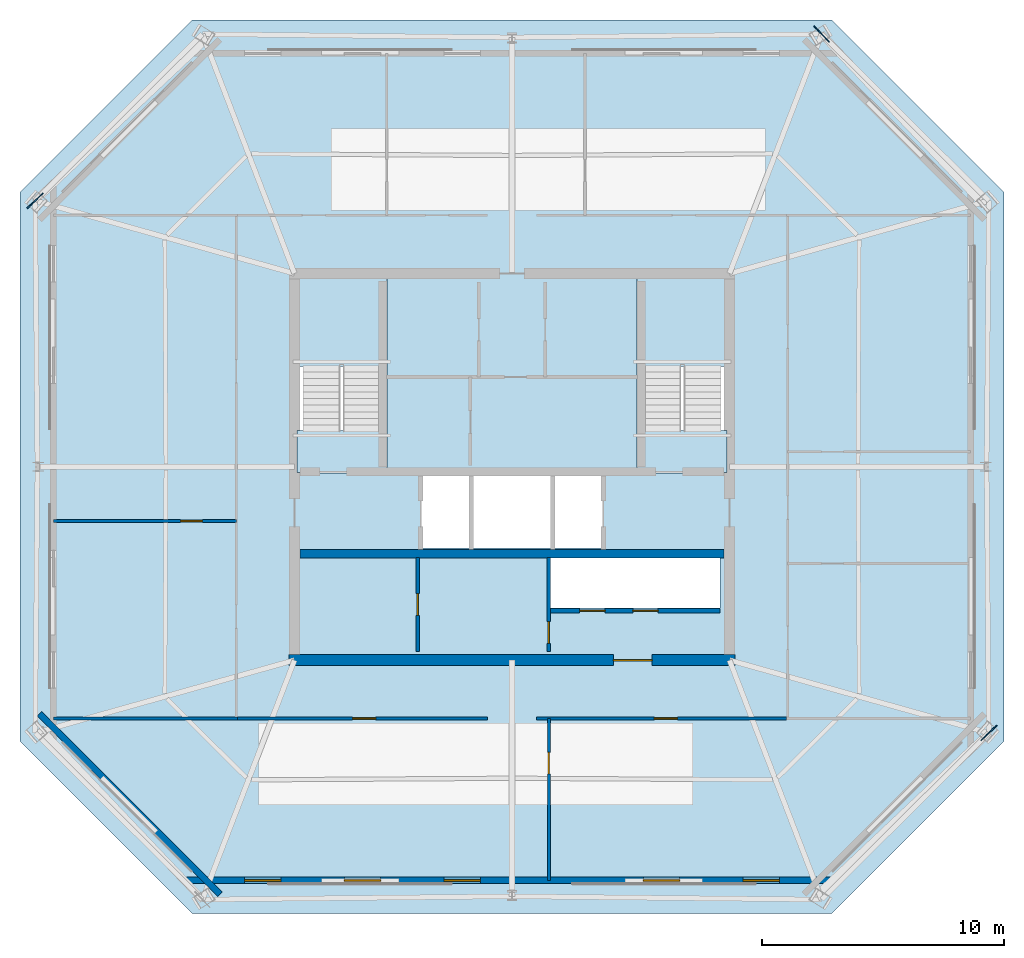
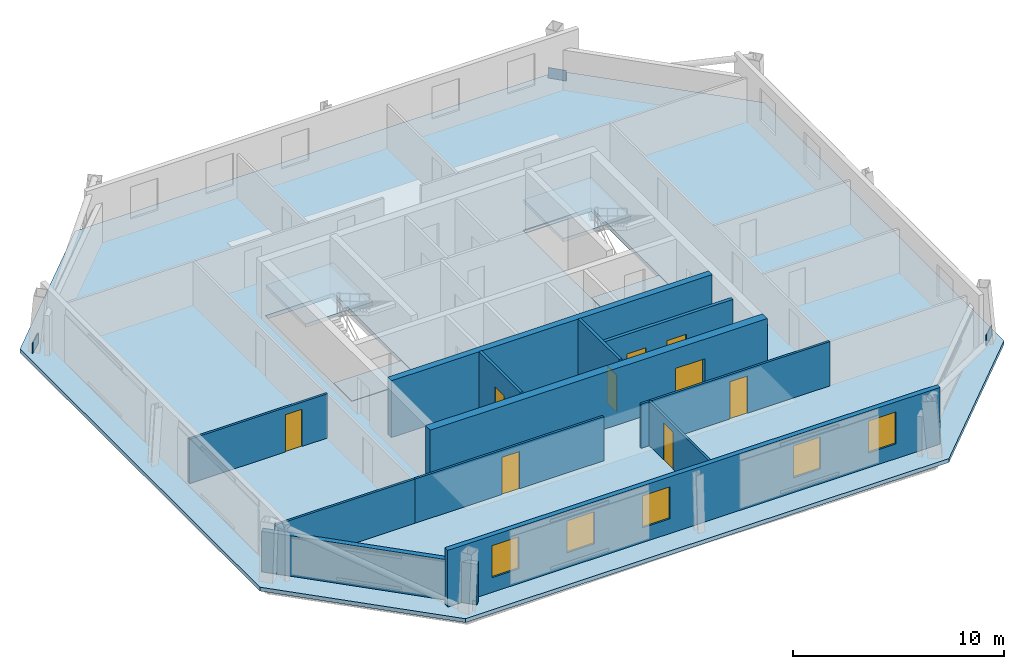
# One storey, part 2 of 7: 12 walls, 9 doors, 5 slabs, 5 windows, 3 plates, 14 openings, 2 elements without a shape of their own.
"""IFC4 building model written with IfcOpenShell, lengths in metres."""

from ifc_helpers import new_model, si_unit, direction, frame, frame_2d, origin, origin_2d, place, context, subcontext, project, spatial, polyline, rectangle, outline, extrude, material, layer, layer_set, type_object, element, fill, aggregate, save


model = new_model("IFC4")

# Units and contexts
model_context = context("Model", 3, precision=1e-05, world=origin(), true_north=direction((0.0, 1.0)))
body_context = subcontext(model_context, "Body", "Model", "MODEL_VIEW")
ifc_project = project(units=[si_unit("LENGTHUNIT", "METRE"), si_unit("AREAUNIT", "SQUARE_METRE"), si_unit("VOLUMEUNIT", "CUBIC_METRE"), si_unit("PLANEANGLEUNIT", "RADIAN"), si_unit("MASSUNIT", "GRAM", prefix="KILO")], contexts=[model_context])

# Site, building, storey
site_placement = place(None, origin())
site = spatial("IfcSite", under=ifc_project, at=site_placement, CompositionType="ELEMENT")
building_placement = place(site_placement, origin())
building = spatial("IfcBuilding", under=site, at=building_placement, Name="Caelvoria Tower", CompositionType="ELEMENT")
storey_placement = place(building_placement, frame((0.0, 0.0, 231.0)))
storey = spatial("IfcBuildingStorey", under=building, at=storey_placement, Name="L61", CompositionType="ELEMENT", Elevation=231.0)

# Plates
ifc_material_1 = material(Name="Structural Steel ASTM A572 Gr.50", Category="steel")
ifc_layer_1 = layer(ifc_material_1, 0.0400390625, Name="Structural Steel ASTM A572 Gr.50")
ifc_layer_set_1 = layer_set([ifc_layer_1], Name="Megaframe Node Gusset Plate 900x600x40 - Structural Steel ASTM A572 Gr.50")
plate_type = type_object("IfcPlateType", Name="Megaframe Node Gusset Plate 900x600x40", PredefinedType="USERDEFINED", material=ifc_layer_set_1)
for number, where, z_axis, x_axis, name in (
    (1, (65.73046875, 20.9873046875, 0.02001953125), (0.0, 0.0, 1.0), (-0.727666217761, -0.685931392727, 0.0), "Chamfer Mega Brace Gusset L61 SE"),
    (2, (58.812744140625, 49.905517578125, 0.02001953125), (0.0, 0.0, 1.0), (0.688368501755, -0.725361155419, 0.0), "Chamfer Mega Brace Gusset L61 NE"),
    (3, (26.26953125, 43.0126953125, 0.02001953125), (0.0, 0.0, 1.0), (0.727666217761, 0.685931392727, 0.0), "Chamfer Mega Brace Gusset L61 NW"),
):
    element("IfcPlate", number, at=place(storey_placement, frame(where, z_axis=z_axis, x_axis=x_axis)), inside=storey, type_object=plate_type, Name=name, ObjectType="GUSSET_PLATE", PredefinedType="USERDEFINED", context=body_context, shape_type="SweptSolid", body=[
        extrude(rectangle(XDim=0.89990234375, YDim=0.0400390625, at=origin_2d()), origin(), (0.0, 0.0, 1.0), 0.60009765625),
    ])

# Stair, slabs
ifc_material_2 = material(Name="Concrete C40/50", Category="concrete")
stair_type = type_object("IfcStairType", Name="Core Smokeproof Dogleg Stair Concrete C40/50", PredefinedType="HALF_TURN_STAIR", material=ifc_material_2)
stair_1_placement = place(storey_placement, origin())
stair_1 = element("IfcStair", 4, at=stair_1_placement, inside=storey, type_object=stair_type, Name="ST-01 Smokeproof Exit Stair L61", PredefinedType="HALF_TURN_STAIR")
ifc_layer_2 = layer(ifc_material_2, 0.199951171875, Name="Concrete C40/50")
ifc_layer_set_2 = layer_set([ifc_layer_2], Name="Stair Half and Floor Landing Slab 200 Concrete C40/50 - Concrete C40/50")
slab_type_1 = type_object("IfcSlabType", Name="Stair Half and Floor Landing Slab 200 Concrete C40/50", PredefinedType="LANDING", material=ifc_layer_set_2)
slab_1_placement = place(storey_placement, frame((0.0, 0.0, -0.199951171875)))
slab_1 = element("IfcSlab", 5, at=slab_1_placement, type_object=slab_type_1, Name="ST-01 landing 1", PredefinedType="LANDING", context=body_context, shape_type="SweptSolid", body=[
    extrude(outline(polyline([(37.10009765625, 31.77001953125), (40.800048828125, 31.77001953125), (40.800048828125, 33.5), (37.10009765625, 33.5), (37.10009765625, 31.77001953125)])), origin(), (0.0, 0.0, 1.0), 0.199951171875),
])
slab_2_placement = place(storey_placement, frame((0.0, 0.0, 1.60009765625)))
slab_2 = element("IfcSlab", 6, at=slab_2_placement, type_object=slab_type_1, Name="ST-01 landing 2", PredefinedType="LANDING", context=body_context, shape_type="SweptSolid", body=[
    extrude(outline(polyline([(37.10009765625, 36.14990234375), (40.800048828125, 36.14990234375), (40.800048828125, 39.89990234375), (37.10009765625, 39.89990234375), (37.10009765625, 36.14990234375)])), origin(), (0.0, 0.0, 1.0), 0.199951171875),
])
aggregate(stair_1, [slab_1, slab_2])

stair_2_placement = place(storey_placement, origin())
stair_2 = element("IfcStair", 7, at=stair_2_placement, inside=storey, type_object=stair_type, Name="ST-02 Smokeproof Exit Stair L61", PredefinedType="HALF_TURN_STAIR")
slab_3_placement = place(storey_placement, frame((0.0, 0.0, -0.199951171875)))
slab_3 = element("IfcSlab", 8, at=slab_3_placement, type_object=slab_type_1, Name="ST-02 landing 1", PredefinedType="LANDING", context=body_context, shape_type="SweptSolid", body=[
    extrude(outline(polyline([(51.199951171875, 31.77001953125), (54.89990234375, 31.77001953125), (54.89990234375, 33.5), (51.199951171875, 33.5), (51.199951171875, 31.77001953125)])), origin(), (0.0, 0.0, 1.0), 0.199951171875),
])
slab_4_placement = place(storey_placement, frame((0.0, 0.0, 1.60009765625)))
slab_4 = element("IfcSlab", 9, at=slab_4_placement, type_object=slab_type_1, Name="ST-02 landing 2", PredefinedType="LANDING", context=body_context, shape_type="SweptSolid", body=[
    extrude(outline(polyline([(51.199951171875, 36.14990234375), (54.89990234375, 36.14990234375), (54.89990234375, 39.89990234375), (51.199951171875, 39.89990234375), (51.199951171875, 36.14990234375)])), origin(), (0.0, 0.0, 1.0), 0.199951171875),
])
aggregate(stair_2, [slab_3, slab_4])

# Slab
ifc_layer_3 = layer(ifc_material_2, 0.22509765625, Name="Concrete C40/50")
ifc_layer_set_3 = layer_set([ifc_layer_3], Name="Upper Tower Composite Office Slab 225 - Concrete C40/50")
slab_type_2 = type_object("IfcSlabType", Name="Upper Tower Composite Office Slab 225", PredefinedType="FLOOR", material=ifc_layer_set_3)
slab_5_placement = place(storey_placement, frame((0.0, 0.0, -0.22509765625)))
element("IfcSlab", 10, at=slab_5_placement, inside=storey, type_object=slab_type_2, Name="Level L61 Structural Floor Slab", PredefinedType="FLOOR", context=body_context, shape_type="SweptSolid", body=[
    extrude(outline(polyline([(32.768310546875, 13.509033203125), (59.231689453125, 13.509033203125), (66.359130859375, 20.636474609375), (66.359130859375, 43.363525390625), (59.231689453125, 50.490966796875), (32.768310546875, 50.490966796875), (25.640869140625, 43.363525390625), (25.640869140625, 20.636474609375), (32.768310546875, 13.509033203125)]), holes=[polyline([(37.080078125, 31.75), (40.820068359375, 31.75), (40.820068359375, 39.919921875), (37.080078125, 39.919921875), (37.080078125, 31.75)]), polyline([(51.179931640625, 31.75), (54.919921875, 31.75), (54.919921875, 39.919921875), (51.179931640625, 39.919921875), (51.179931640625, 31.75)]), polyline([(42.25, 28.64990234375), (49.75, 28.64990234375), (49.75, 31.800048828125), (42.25, 31.800048828125), (42.25, 28.64990234375)]), polyline([(47.60009765625, 26.14990234375), (54.60009765625, 26.14990234375), (54.60009765625, 28.25), (47.60009765625, 28.25), (47.60009765625, 26.14990234375)])]), origin(), (0.0, 0.0, 1.0), 0.22509765625),
])

# Wall
ifc_material_3 = material(Name="Concrete C50/60", Category="concrete")
ifc_layer_4 = layer(ifc_material_3, 0.35009765625, Name="Concrete C50/60")
ifc_layer_set_4 = layer_set([ifc_layer_4], Name="Core Internal Shear Wall 350 - Concrete C50/60")
wall_type_1 = type_object("IfcWallType", Name="Core Internal Shear Wall 350", PredefinedType="SHEAR", material=ifc_layer_set_4)
wall_1_placement = place(storey_placement, frame((37.22509765625, 28.39990234375, 0.0), z_axis=(0.0, 0.0, 1.0), x_axis=(1.0, 0.0, 0.0)))
element("IfcWall", 11, at=wall_1_placement, inside=storey, type_object=wall_type_1, Name="Core Shear Wall L61 M2", PredefinedType="SHEAR", context=body_context, shape_type="SweptSolid", body=[
    extrude(rectangle(XDim=17.5498046875, YDim=0.35009765625, at=frame_2d((8.77490234375, 0.0))), origin(), (0.0, 0.0, 1.0), 3.280029296875),
])

# Wall, opening, door
ifc_material_4 = material(Name="Double Gypsum Board on Steel Stud", Category="steel")
ifc_layer_5 = layer(ifc_material_4, 0.14990234375, Name="Double Gypsum Board on Steel Stud")
ifc_layer_set_5 = layer_set([ifc_layer_5], Name="Core Service Acoustic Partition Wall 150 - Double Gypsum Board on Steel Stud")
wall_type_2 = type_object("IfcWallType", Name="Core Service Acoustic Partition Wall 150", PredefinedType="PARTITIONING", material=ifc_layer_set_5)
wall_2_placement = place(storey_placement, frame((42.10009765625, 24.35009765625, 0.0), z_axis=(0.0, 0.0, 1.0), x_axis=(0.0, 1.0, 0.0)))
wall_2 = element("IfcWall", 12, at=wall_2_placement, inside=storey, type_object=wall_type_2, Name="Interior Partition IW-L61-RECL-MID", PredefinedType="PARTITIONING", context=body_context, shape_type="SweptSolid", body=[
    extrude(rectangle(XDim=3.89990234375, YDim=0.14990234375, at=frame_2d((1.949951171875, 0.0))), origin(), (0.0, 0.0, 1.0), 3.280029296875),
])
opening_1_placement = place(wall_2_placement, frame((1.5, 0.0, 0.0)))
opening_1 = element("IfcOpeningElement", 13, at=opening_1_placement, cuts=wall_2, Name="Opening ID-06", PredefinedType="OPENING", context=body_context, shape_type="SweptSolid", body=[
    extrude(rectangle(XDim=0.89990234375, YDim=2.14990234375, at=frame_2d((0.449951171875, 1.074951171875))), frame((0.0, 0.0849609375, 0.0), z_axis=(0.0, -1.0, 0.0), x_axis=(1.0, 0.0, 0.0)), (0.0, 0.0, 1.0), 0.169921875),
])
ifc_material_5 = material(Name="Engineered Andean Oak Veneer Door", Category="wood")
door_type_1 = type_object("IfcDoorType", Name="Interior Timber Door 900x2150", OperationType="NOTDEFINED", PredefinedType="DOOR", material=ifc_material_5)
door_1_placement = place(opening_1_placement, origin())
door_1 = element("IfcDoor", 14, at=door_1_placement, inside=storey, type_object=door_type_1, Name="Interior Door DR-L61-RECL12", OperationType="SINGLE_SWING_LEFT", OverallHeight=2.14990234375, OverallWidth=0.89990234375, PredefinedType="DOOR", context=body_context, shape_type="SweptSolid", body=[
    extrude(rectangle(XDim=0.89990234375, YDim=2.14990234375, at=frame_2d((0.449951171875, 1.074951171875))), frame((0.0, 0.02490234375, 0.0), z_axis=(0.0, -1.0, 0.0), x_axis=(1.0, 0.0, 0.0)), (0.0, 0.0, 1.0), 0.050048828125),
])
fill(opening_1, door_1)

wall_3_placement = place(storey_placement, frame((47.52001953125, 24.35009765625, 0.0), z_axis=(0.0, 0.0, 1.0), x_axis=(0.0, 1.0, 0.0)))
wall_3 = element("IfcWall", 15, at=wall_3_placement, inside=storey, type_object=wall_type_2, Name="Interior Partition IW-L61-RECL2E", PredefinedType="PARTITIONING", context=body_context, shape_type="SweptSolid", body=[
    extrude(rectangle(XDim=3.89990234375, YDim=0.14990234375, at=frame_2d((1.949951171875, 0.0))), origin(), (0.0, 0.0, 1.0), 3.280029296875),
])
opening_2_placement = place(wall_3_placement, frame((0.35009765625, 0.0, 0.0)))
opening_2 = element("IfcOpeningElement", 16, at=opening_2_placement, cuts=wall_3, Name="Opening ID-04", PredefinedType="OPENING", context=body_context, shape_type="SweptSolid", body=[
    extrude(rectangle(XDim=0.89990234375, YDim=2.14990234375, at=frame_2d((0.449951171875, 1.074951171875))), frame((0.0, 0.0849609375, 0.0), z_axis=(0.0, -1.0, 0.0), x_axis=(1.0, 0.0, 0.0)), (0.0, 0.0, 1.0), 0.169921875),
])
ifc_material_6 = material(Name="Acoustic Timber Fire Door", Category="wood")
door_type_2 = type_object("IfcDoorType", Name="Fire Door FD30S 900x2150", OperationType="NOTDEFINED", PredefinedType="DOOR", material=ifc_material_6)
door_2_placement = place(opening_2_placement, origin())
door_2 = element("IfcDoor", 17, at=door_2_placement, inside=storey, type_object=door_type_2, Name="Interior Door DR-L61-RECL2", OperationType="SINGLE_SWING_RIGHT", OverallHeight=2.14990234375, OverallWidth=0.89990234375, PredefinedType="DOOR", context=body_context, shape_type="SweptSolid", body=[
    extrude(rectangle(XDim=0.89990234375, YDim=2.14990234375, at=frame_2d((0.449951171875, 1.074951171875))), frame((0.0, 0.02490234375, 0.0), z_axis=(0.0, -1.0, 0.0), x_axis=(1.0, 0.0, 0.0)), (0.0, 0.0, 1.0), 0.050048828125),
])
fill(opening_2, door_2)

# Wall, openings, doors
ifc_material_7 = material(Name="Concrete Block and Fireboard Assembly", Category="concrete")
ifc_layer_6 = layer(ifc_material_7, 0.179931640625, Name="Concrete Block and Fireboard Assembly")
ifc_layer_set_6 = layer_set([ifc_layer_6], Name="Fire-Rated Hoistway Partition Wall 180 - Concrete Block and Fireboard Assembly")
wall_type_3 = type_object("IfcWallType", Name="Fire-Rated Hoistway Partition Wall 180", PredefinedType="PARTITIONING", material=ifc_layer_set_6)
wall_4_placement = place(storey_placement, frame((47.60009765625, 26.050048828125, 0.0), z_axis=(0.0, 0.0, 1.0), x_axis=(1.0, 0.0, 0.0)))
wall_4 = element("IfcWall", 18, at=wall_4_placement, inside=storey, type_object=wall_type_3, Name="Interior Partition IW-L61-LFRONT", PredefinedType="PARTITIONING", context=body_context, shape_type="SweptSolid", body=[
    extrude(rectangle(XDim=7.0, YDim=0.179931640625, at=frame_2d((3.5, 0.0))), origin(), (0.0, 0.0, 1.0), 3.280029296875),
])
opening_3_placement = place(wall_4_placement, frame((1.199951171875, 0.0, 0.0)))
opening_3 = element("IfcOpeningElement", 19, at=opening_3_placement, cuts=wall_4, Name="Opening LD-01", PredefinedType="OPENING", context=body_context, shape_type="SweptSolid", body=[
    extrude(rectangle(XDim=1.050048828125, YDim=2.14990234375, at=frame_2d((0.52490234375, 1.074951171875))), frame((0.0, 0.099853515625, 0.0), z_axis=(0.0, -1.0, 0.0), x_axis=(1.0, 0.0, 0.0)), (0.0, 0.0, 1.0), 0.199951171875),
])
opening_4_placement = place(wall_4_placement, frame((3.39990234375, 0.0, 0.0)))
opening_4 = element("IfcOpeningElement", 20, at=opening_4_placement, cuts=wall_4, Name="Opening LD-01", PredefinedType="OPENING", context=body_context, shape_type="SweptSolid", body=[
    extrude(rectangle(XDim=1.050048828125, YDim=2.14990234375, at=frame_2d((0.52490234375, 1.074951171875))), frame((0.0, 0.099853515625, 0.0), z_axis=(0.0, -1.0, 0.0), x_axis=(1.0, 0.0, 0.0)), (0.0, 0.0, 1.0), 0.199951171875),
])
ifc_material_8 = material(Name="Brushed Bronze Stainless Sliding Landing Door", Category="aluminium")
door_type_3 = type_object("IfcDoorType", Name="Lift Landing Sliding Door 1100x2150", OperationType="NOTDEFINED", PredefinedType="DOOR", material=ifc_material_8)
door_3_placement = place(opening_3_placement, origin())
door_3 = element("IfcDoor", 21, at=door_3_placement, inside=storey, type_object=door_type_3, Name="Interior Door LD-L61-PH1", OperationType="SLIDING_TO_LEFT", OverallHeight=2.14990234375, OverallWidth=1.050048828125, PredefinedType="DOOR", context=body_context, shape_type="SweptSolid", body=[
    extrude(rectangle(XDim=1.050048828125, YDim=2.14990234375, at=frame_2d((0.52490234375, 1.074951171875))), frame((0.0, 0.02490234375, 0.0), z_axis=(0.0, -1.0, 0.0), x_axis=(1.0, 0.0, 0.0)), (0.0, 0.0, 1.0), 0.050048828125),
])
fill(opening_3, door_3)
door_4_placement = place(opening_4_placement, origin())
door_4 = element("IfcDoor", 22, at=door_4_placement, inside=storey, type_object=door_type_3, Name="Interior Door LD-L61-PH2", OperationType="SLIDING_TO_RIGHT", OverallHeight=2.14990234375, OverallWidth=1.050048828125, PredefinedType="DOOR", context=body_context, shape_type="SweptSolid", body=[
    extrude(rectangle(XDim=1.050048828125, YDim=2.14990234375, at=frame_2d((0.52490234375, 1.074951171875))), frame((0.0, 0.02490234375, 0.0), z_axis=(0.0, -1.0, 0.0), x_axis=(1.0, 0.0, 0.0)), (0.0, 0.0, 1.0), 0.050048828125),
])
fill(opening_4, door_4)

# Wall, opening, door
ifc_material_9 = material(Name="Acoustic Gypsum Board on Light-Gauge Stud", Category="gypsum")
ifc_layer_7 = layer(ifc_material_9, 0.1201171875, Name="Acoustic Gypsum Board on Light-Gauge Stud")
ifc_layer_set_7 = layer_set([ifc_layer_7], Name="Tenant Suite Acoustic Partition Wall 120 - Acoustic Gypsum Board on Light-Gauge Stud")
wall_type_4 = type_object("IfcWallType", Name="Tenant Suite Acoustic Partition Wall 120", PredefinedType="PARTITIONING", material=ifc_layer_set_7)
wall_5_placement = place(storey_placement, frame((47.52294921875, 21.590087890625, 0.0), z_axis=(0.0, 0.0, 1.0), x_axis=(0.0, -1.0, 0.0)))
wall_5 = element("IfcWall", 23, at=wall_5_placement, inside=storey, type_object=wall_type_4, Name="Interior Partition IW-L61-SD-00-0", PredefinedType="PARTITIONING", context=body_context, shape_type="SweptSolid", body=[
    extrude(rectangle(XDim=6.700927734375, YDim=0.1201171875, at=frame_2d((3.3505859375, 0.0))), origin(), (0.0, 0.0, 1.0), 2.56005859375),
])
opening_5_placement = place(wall_5_placement, frame((1.39990234375, 0.0, 0.0)))
opening_5 = element("IfcOpeningElement", 24, at=opening_5_placement, cuts=wall_5, Name="Opening ID-06", PredefinedType="OPENING", context=body_context, shape_type="SweptSolid", body=[
    extrude(rectangle(XDim=0.89990234375, YDim=2.14990234375, at=frame_2d((0.449951171875, 1.074951171875))), frame((0.0, 0.070068359375, 0.0), z_axis=(0.0, -1.0, 0.0), x_axis=(1.0, 0.0, 0.0)), (0.0, 0.0, 1.0), 0.14013671875),
])
door_5_placement = place(opening_5_placement, origin())
door_5 = element("IfcDoor", 25, at=door_5_placement, inside=storey, type_object=door_type_1, Name="Interior Door DR-L61-SM-00-0", OperationType="SINGLE_SWING_RIGHT", OverallHeight=2.14990234375, OverallWidth=0.89990234375, PredefinedType="DOOR", context=body_context, shape_type="SweptSolid", body=[
    extrude(rectangle(XDim=0.89990234375, YDim=2.14990234375, at=frame_2d((0.449951171875, 1.074951171875))), frame((0.0, 0.02490234375, 0.0), z_axis=(0.0, -1.0, 0.0), x_axis=(1.0, 0.0, 0.0)), (0.0, 0.0, 1.0), 0.050048828125),
])
fill(opening_5, door_5)

wall_6_placement = place(storey_placement, frame((34.64990234375, 21.590087890625, 0.0), z_axis=(0.0, 0.0, 1.0), x_axis=(1.0, 0.0, 0.0)))
wall_6 = element("IfcWall", 26, at=wall_6_placement, inside=storey, type_object=wall_type_4, Name="Interior Partition IW-L61-SCW-0", PredefinedType="PARTITIONING", context=body_context, shape_type="SweptSolid", body=[
    extrude(rectangle(XDim=10.330078125, YDim=0.1201171875, at=frame_2d((5.1650390625, 0.0))), origin(), (0.0, 0.0, 1.0), 2.56005859375),
])
opening_6_placement = place(wall_6_placement, frame((4.760009765625, 0.0, 0.0)))
opening_6 = element("IfcOpeningElement", 27, at=opening_6_placement, cuts=wall_6, Name="Opening ID-05", PredefinedType="OPENING", context=body_context, shape_type="SweptSolid", body=[
    extrude(rectangle(XDim=0.949951171875, YDim=2.14990234375, at=frame_2d((0.47509765625, 1.074951171875))), frame((0.0, 0.070068359375, 0.0), z_axis=(0.0, -1.0, 0.0), x_axis=(1.0, 0.0, 0.0)), (0.0, 0.0, 1.0), 0.14013671875),
])
door_type_4 = type_object("IfcDoorType", Name="Interior Timber Door 950x2150", OperationType="NOTDEFINED", PredefinedType="DOOR", material=ifc_material_5)
door_6_placement = place(opening_6_placement, origin())
door_6 = element("IfcDoor", 28, at=door_6_placement, inside=storey, type_object=door_type_4, Name="Interior Door DR-L61-SC-00-0", OperationType="SINGLE_SWING_RIGHT", OverallHeight=2.14990234375, OverallWidth=0.949951171875, PredefinedType="DOOR", context=body_context, shape_type="SweptSolid", body=[
    extrude(rectangle(XDim=0.949951171875, YDim=2.14990234375, at=frame_2d((0.47509765625, 1.074951171875))), frame((0.0, 0.02490234375, 0.0), z_axis=(0.0, -1.0, 0.0), x_axis=(1.0, 0.0, 0.0)), (0.0, 0.0, 1.0), 0.050048828125),
])
fill(opening_6, door_6)

wall_7_placement = place(storey_placement, frame((47.02001953125, 21.590087890625, 0.0), z_axis=(0.0, 0.0, 1.0), x_axis=(1.0, 0.0, 0.0)))
wall_7 = element("IfcWall", 29, at=wall_7_placement, inside=storey, type_object=wall_type_4, Name="Interior Partition IW-L61-SCW-1", PredefinedType="PARTITIONING", context=body_context, shape_type="SweptSolid", body=[
    extrude(rectangle(XDim=10.330078125, YDim=0.1201171875, at=frame_2d((5.1650390625, 0.0))), origin(), (0.0, 0.0, 1.0), 2.56005859375),
])
opening_7_placement = place(wall_7_placement, frame((4.87158203125, 0.0, 0.0)))
opening_7 = element("IfcOpeningElement", 30, at=opening_7_placement, cuts=wall_7, Name="Opening ID-05", PredefinedType="OPENING", context=body_context, shape_type="SweptSolid", body=[
    extrude(rectangle(XDim=0.949951171875, YDim=2.14990234375, at=frame_2d((0.47509765625, 1.074951171875))), frame((0.0, 0.070068359375, 0.0), z_axis=(0.0, -1.0, 0.0), x_axis=(1.0, 0.0, 0.0)), (0.0, 0.0, 1.0), 0.14013671875),
])
door_7_placement = place(opening_7_placement, origin())
door_7 = element("IfcDoor", 31, at=door_7_placement, inside=storey, type_object=door_type_4, Name="Interior Door DR-L61-SC-01-0", OperationType="SINGLE_SWING_LEFT", OverallHeight=2.14990234375, OverallWidth=0.949951171875, PredefinedType="DOOR", context=body_context, shape_type="SweptSolid", body=[
    extrude(rectangle(XDim=0.949951171875, YDim=2.14990234375, at=frame_2d((0.47509765625, 1.074951171875))), frame((0.0, 0.02490234375, 0.0), z_axis=(0.0, -1.0, 0.0), x_axis=(1.0, 0.0, 0.0)), (0.0, 0.0, 1.0), 0.050048828125),
])
fill(opening_7, door_7)

wall_8_placement = place(storey_placement, frame((34.590087890625, 29.763427734375, 0.0), z_axis=(0.0, 0.0, 1.0), x_axis=(-1.0, 0.0, 0.0)))
wall_8 = element("IfcWall", 32, at=wall_8_placement, inside=storey, type_object=wall_type_4, Name="Interior Partition IW-L61-WD-00-0", PredefinedType="PARTITIONING", context=body_context, shape_type="SweptSolid", body=[
    extrude(rectangle(XDim=7.569091796875, YDim=0.1201171875, at=frame_2d((3.78466796875, 0.0))), origin(), (0.0, 0.0, 1.0), 2.56005859375),
])
opening_8_placement = place(wall_8_placement, frame((1.39990234375, 0.0, 0.0)))
opening_8 = element("IfcOpeningElement", 33, at=opening_8_placement, cuts=wall_8, Name="Opening ID-06", PredefinedType="OPENING", context=body_context, shape_type="SweptSolid", body=[
    extrude(rectangle(XDim=0.89990234375, YDim=2.14990234375, at=frame_2d((0.449951171875, 1.074951171875))), frame((0.0, 0.070068359375, 0.0), z_axis=(0.0, -1.0, 0.0), x_axis=(1.0, 0.0, 0.0)), (0.0, 0.0, 1.0), 0.14013671875),
])
door_8_placement = place(opening_8_placement, origin())
door_8 = element("IfcDoor", 34, at=door_8_placement, inside=storey, type_object=door_type_1, Name="Interior Door DR-L61-WM-00-0", OperationType="SINGLE_SWING_RIGHT", OverallHeight=2.14990234375, OverallWidth=0.89990234375, PredefinedType="DOOR", context=body_context, shape_type="SweptSolid", body=[
    extrude(rectangle(XDim=0.89990234375, YDim=2.14990234375, at=frame_2d((0.449951171875, 1.074951171875))), frame((0.0, 0.02490234375, 0.0), z_axis=(0.0, -1.0, 0.0), x_axis=(1.0, 0.0, 0.0)), (0.0, 0.0, 1.0), 0.050048828125),
])
fill(opening_8, door_8)

# Wall
wall_9_placement = place(storey_placement, frame((34.64990234375, 21.590087890625, 0.0), z_axis=(0.0, 0.0, 1.0), x_axis=(-1.0, 0.0, 0.0)))
element("IfcWall", 35, at=wall_9_placement, inside=storey, type_object=wall_type_4, Name="Interior Partition IW-L61-BSW-0", PredefinedType="PARTITIONING", context=body_context, shape_type="SweptSolid", body=[
    extrude(rectangle(XDim=7.62890625, YDim=0.1201171875, at=frame_2d((3.814453125, 0.0))), origin(), (0.0, 0.0, 1.0), 2.56005859375),
])

# Wall, opening, door
ifc_layer_8 = layer(ifc_material_3, 0.449951171875, Name="Concrete C50/60")
ifc_layer_set_8 = layer_set([ifc_layer_8], Name="Upper Core Shear Wall 450 - Concrete C50/60")
wall_type_5 = type_object("IfcWallType", Name="Upper Core Shear Wall 450", PredefinedType="SHEAR", material=ifc_layer_set_8)
wall_10_placement = place(storey_placement, frame((36.77490234375, 24.0, 0.0), z_axis=(0.0, 0.0, 1.0), x_axis=(1.0, 0.0, 0.0)))
wall_10 = element("IfcWall", 36, at=wall_10_placement, inside=storey, type_object=wall_type_5, Name="Core Shear Wall L61 S", PredefinedType="SHEAR", context=body_context, shape_type="SweptSolid", body=[
    extrude(rectangle(XDim=18.4501953125, YDim=0.449951171875, at=frame_2d((9.22509765625, 0.0))), origin(), (0.0, 0.0, 1.0), 3.280029296875),
])
opening_9_placement = place(wall_10_placement, frame((13.425048828125, 0.0, 0.0)))
opening_9 = element("IfcOpeningElement", 37, at=opening_9_placement, cuts=wall_10, Name="Opening ID-08", PredefinedType="OPENING", context=body_context, shape_type="SweptSolid", body=[
    extrude(rectangle(XDim=1.60009765625, YDim=2.14990234375, at=frame_2d((0.800048828125, 1.074951171875))), frame((0.0, 0.23486328125, 0.0), z_axis=(0.0, -1.0, 0.0), x_axis=(1.0, 0.0, 0.0)), (0.0, 0.0, 1.0), 0.469970703125),
])
ifc_material_10 = material(Name="Bronze-Framed Fire-Rated Glazed Double Door", Category="aluminium")
door_type_5 = type_object("IfcDoorType", Name="Double Lobby Glazed Door 1600x2200", OperationType="NOTDEFINED", PredefinedType="DOOR", material=ifc_material_10)
door_9_placement = place(opening_9_placement, origin())
door_9 = element("IfcDoor", 38, at=door_9_placement, inside=storey, type_object=door_type_5, Name="Core Door DR-L61-LLOB-S2", OperationType="DOUBLE_DOOR_SINGLE_SWING", OverallHeight=2.14990234375, OverallWidth=1.60009765625, PredefinedType="DOOR", context=body_context, shape_type="SweptSolid", body=[
    extrude(rectangle(XDim=1.60009765625, YDim=2.14990234375, at=frame_2d((0.800048828125, 1.074951171875))), frame((0.0, 0.02490234375, 0.0), z_axis=(0.0, -1.0, 0.0), x_axis=(1.0, 0.0, 0.0)), (0.0, 0.0, 1.0), 0.050048828125),
])
fill(opening_9, door_9)

# Wall, openings, windows
ifc_material_11 = material(Name="Precast Concrete C40/50 with Bronze Cladding", Category="concrete")
ifc_layer_9 = layer(ifc_material_11, 0.264892578125, Name="Precast Concrete C40/50 with Bronze Cladding")
ifc_layer_set_9 = layer_set([ifc_layer_9], Name="Upper Taper Precast Concrete C40/50 Bronze Facade Wall 265 - Precast Concrete C40/50 with Bronze Cladding")
wall_type_6 = type_object("IfcWallType", Name="Upper Taper Precast Concrete C40/50 Bronze Facade Wall 265", PredefinedType="STANDARD", material=ifc_layer_set_9)
wall_11_placement = place(storey_placement, frame((32.5283203125, 14.88916015625, 0.0), z_axis=(0.0, 0.0, 1.0), x_axis=(1.0, 0.0, 0.0)))
wall_11 = element("IfcWall", 39, at=wall_11_placement, inside=storey, type_object=wall_type_6, Name="Exterior Facade Wall L61-E0", PredefinedType="STANDARD", context=body_context, shape_type="SweptSolid", body=[
    extrude(rectangle(XDim=26.943359375, YDim=0.264892578125, at=frame_2d((13.4716796875, 0.0))), origin(), (0.0, 0.0, 1.0), 3.280029296875),
])
opening_10_placement = place(wall_11_placement, frame((2.412109375, 0.0, 0.85009765625)))
opening_10 = element("IfcOpeningElement", 40, at=opening_10_placement, cuts=wall_11, Name="Opening WN-03", PredefinedType="OPENING", context=body_context, shape_type="SweptSolid", body=[
    extrude(rectangle(XDim=1.5, YDim=1.85009765625, at=frame_2d((0.75, 0.925048828125))), frame((0.0, 0.142333984375, 0.0), z_axis=(0.0, -1.0, 0.0), x_axis=(1.0, 0.0, 0.0)), (0.0, 0.0, 1.0), 0.284912109375),
])
opening_11_placement = place(wall_11_placement, frame((6.535888671875, 0.0, 0.85009765625)))
opening_11 = element("IfcOpeningElement", 41, at=opening_11_placement, cuts=wall_11, Name="Opening WN-03", PredefinedType="OPENING", context=body_context, shape_type="SweptSolid", body=[
    extrude(rectangle(XDim=1.5, YDim=1.85009765625, at=frame_2d((0.75, 0.925048828125))), frame((0.0, 0.142333984375, 0.0), z_axis=(0.0, -1.0, 0.0), x_axis=(1.0, 0.0, 0.0)), (0.0, 0.0, 1.0), 0.284912109375),
])
opening_12_placement = place(wall_11_placement, frame((10.659912109375, 0.0, 0.85009765625)))
opening_12 = element("IfcOpeningElement", 42, at=opening_12_placement, cuts=wall_11, Name="Opening WN-03", PredefinedType="OPENING", context=body_context, shape_type="SweptSolid", body=[
    extrude(rectangle(XDim=1.5, YDim=1.85009765625, at=frame_2d((0.75, 0.925048828125))), frame((0.0, 0.142333984375, 0.0), z_axis=(0.0, -1.0, 0.0), x_axis=(1.0, 0.0, 0.0)), (0.0, 0.0, 1.0), 0.284912109375),
])
opening_13_placement = place(wall_11_placement, frame((18.90771484375, 0.0, 0.85009765625)))
opening_13 = element("IfcOpeningElement", 43, at=opening_13_placement, cuts=wall_11, Name="Opening WN-03", PredefinedType="OPENING", context=body_context, shape_type="SweptSolid", body=[
    extrude(rectangle(XDim=1.5, YDim=1.85009765625, at=frame_2d((0.75, 0.925048828125))), frame((0.0, 0.142333984375, 0.0), z_axis=(0.0, -1.0, 0.0), x_axis=(1.0, 0.0, 0.0)), (0.0, 0.0, 1.0), 0.284912109375),
])
opening_14_placement = place(wall_11_placement, frame((23.031494140625, 0.0, 0.85009765625)))
opening_14 = element("IfcOpeningElement", 44, at=opening_14_placement, cuts=wall_11, Name="Opening WN-03", PredefinedType="OPENING", context=body_context, shape_type="SweptSolid", body=[
    extrude(rectangle(XDim=1.5, YDim=1.85009765625, at=frame_2d((0.75, 0.925048828125))), frame((0.0, 0.142333984375, 0.0), z_axis=(0.0, -1.0, 0.0), x_axis=(1.0, 0.0, 0.0)), (0.0, 0.0, 1.0), 0.284912109375),
])
ifc_material_12 = material(Name="Low-E Tinted Glass in Bronze Aluminium Frame", Category="aluminium")
window_type = type_object("IfcWindowType", Name="Upper Taper Vision Window 1500x1850", PartitioningType="SINGLE_PANEL", PredefinedType="WINDOW", material=ifc_material_12)
window_1_placement = place(opening_10_placement, origin())
window_1 = element("IfcWindow", 45, at=window_1_placement, inside=storey, type_object=window_type, Name="Facade Window L61-E0-00", OverallHeight=1.85009765625, OverallWidth=1.5, PartitioningType="SINGLE_PANEL", PredefinedType="WINDOW", context=body_context, shape_type="SweptSolid", body=[
    extrude(rectangle(XDim=1.5, YDim=1.85009765625, at=frame_2d((0.75, 0.925048828125))), frame((0.0, 0.030029296875, 0.0), z_axis=(0.0, -1.0, 0.0), x_axis=(1.0, 0.0, 0.0)), (0.0, 0.0, 1.0), 0.06005859375),
])
fill(opening_10, window_1)
window_2_placement = place(opening_11_placement, origin())
window_2 = element("IfcWindow", 46, at=window_2_placement, inside=storey, type_object=window_type, Name="Facade Window L61-E0-01", OverallHeight=1.85009765625, OverallWidth=1.5, PartitioningType="SINGLE_PANEL", PredefinedType="WINDOW", context=body_context, shape_type="SweptSolid", body=[
    extrude(rectangle(XDim=1.5, YDim=1.85009765625, at=frame_2d((0.75, 0.925048828125))), frame((0.0, 0.030029296875, 0.0), z_axis=(0.0, -1.0, 0.0), x_axis=(1.0, 0.0, 0.0)), (0.0, 0.0, 1.0), 0.06005859375),
])
fill(opening_11, window_2)
window_3_placement = place(opening_12_placement, origin())
window_3 = element("IfcWindow", 47, at=window_3_placement, inside=storey, type_object=window_type, Name="Facade Window L61-E0-02", OverallHeight=1.85009765625, OverallWidth=1.5, PartitioningType="SINGLE_PANEL", PredefinedType="WINDOW", context=body_context, shape_type="SweptSolid", body=[
    extrude(rectangle(XDim=1.5, YDim=1.85009765625, at=frame_2d((0.75, 0.925048828125))), frame((0.0, 0.030029296875, 0.0), z_axis=(0.0, -1.0, 0.0), x_axis=(1.0, 0.0, 0.0)), (0.0, 0.0, 1.0), 0.06005859375),
])
fill(opening_12, window_3)
window_4_placement = place(opening_13_placement, origin())
window_4 = element("IfcWindow", 48, at=window_4_placement, inside=storey, type_object=window_type, Name="Facade Window L61-E0-04", OverallHeight=1.85009765625, OverallWidth=1.5, PartitioningType="SINGLE_PANEL", PredefinedType="WINDOW", context=body_context, shape_type="SweptSolid", body=[
    extrude(rectangle(XDim=1.5, YDim=1.85009765625, at=frame_2d((0.75, 0.925048828125))), frame((0.0, 0.030029296875, 0.0), z_axis=(0.0, -1.0, 0.0), x_axis=(1.0, 0.0, 0.0)), (0.0, 0.0, 1.0), 0.06005859375),
])
fill(opening_13, window_4)
window_5_placement = place(opening_14_placement, origin())
window_5 = element("IfcWindow", 49, at=window_5_placement, inside=storey, type_object=window_type, Name="Facade Window L61-E0-05", OverallHeight=1.85009765625, OverallWidth=1.5, PartitioningType="SINGLE_PANEL", PredefinedType="WINDOW", context=body_context, shape_type="SweptSolid", body=[
    extrude(rectangle(XDim=1.5, YDim=1.85009765625, at=frame_2d((0.75, 0.925048828125))), frame((0.0, 0.030029296875, 0.0), z_axis=(0.0, -1.0, 0.0), x_axis=(1.0, 0.0, 0.0)), (0.0, 0.0, 1.0), 0.06005859375),
])
fill(opening_14, window_5)

# Wall
wall_12_placement = place(storey_placement, frame((26.447021484375, 21.781982421875, 0.0), z_axis=(0.0, 0.0, 1.0), x_axis=(0.707106781187, -0.707106781187, 0.0)))
element("IfcWall", 50, at=wall_12_placement, inside=storey, type_object=wall_type_6, Name="Exterior Facade Wall L61-E7", PredefinedType="STANDARD", context=body_context, shape_type="SweptSolid", body=[
    extrude(rectangle(XDim=10.5595703125, YDim=0.264892578125, at=frame_2d((5.27978515625, 0.0))), origin(), (0.0, 0.0, 1.0), 2.343017578125),
])

save(model, "model.ifc")
